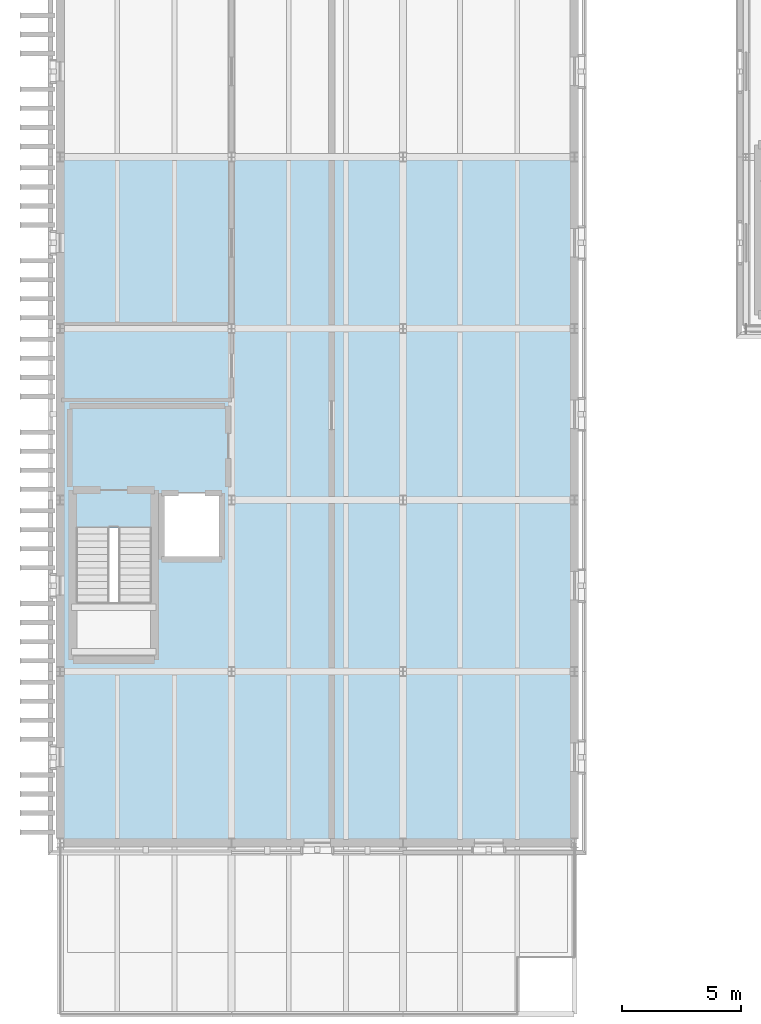
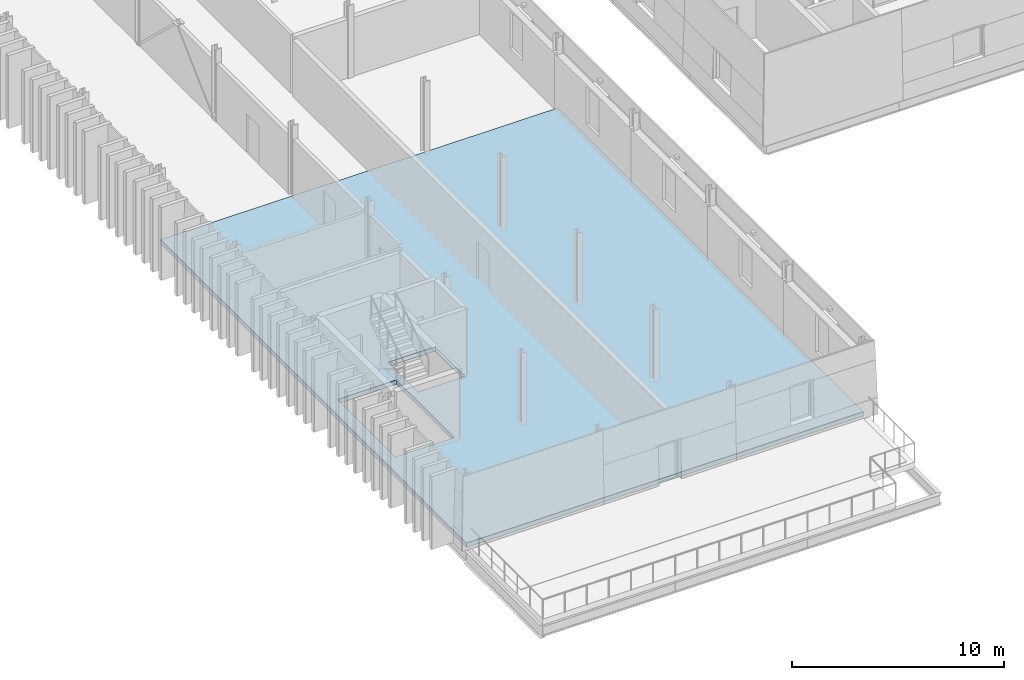
# One storey, part 23 of 66: 1 slab.
"""IFC4 building model written with IfcOpenShell, lengths in metres."""

from ifc_helpers import new_model, si_unit, direction, frame, origin, place, context, subcontext, project, spatial, polyline, outline, extrude, material, layer, layer_set, type_object, element, save


model = new_model("IFC4")

# Units and contexts
model_context = context("Model", 3, precision=1e-05, world=origin(), true_north=direction((0.0, 1.0)))
body_context = subcontext(model_context, "Body", "Model", "MODEL_VIEW")
ifc_project = project(units=[si_unit("LENGTHUNIT", "METRE"), si_unit("AREAUNIT", "SQUARE_METRE"), si_unit("VOLUMEUNIT", "CUBIC_METRE"), si_unit("PLANEANGLEUNIT", "RADIAN"), si_unit("MASSUNIT", "GRAM", prefix="KILO")], contexts=[model_context])

# Site, building, storey
site_placement = place(None, origin())
site = spatial("IfcSite", under=ifc_project, at=site_placement, CompositionType="ELEMENT")
building_placement = place(site_placement, origin())
building = spatial("IfcBuilding", under=site, at=building_placement, Name="Narikvali Park Central Library", CompositionType="ELEMENT")
storey_placement = place(building_placement, frame((0.0, 0.0, 18.60009765625)))
storey = spatial("IfcBuildingStorey", under=building, at=storey_placement, Name="L04", CompositionType="ELEMENT", Elevation=18.60009765625)

# Slab
ifc_material = material(Name="Concrete C35/45", Category="concrete")
ifc_layer = layer(ifc_material, 0.260009765625, Name="Concrete C35/45")
ifc_layer_set = layer_set([ifc_layer], Name="Concrete C35/45")
slab_type = type_object("IfcSlabType", Name="Upper Composite Floor Slab 260", PredefinedType="FLOOR", material=ifc_layer_set)
slab_placement = place(storey_placement, frame((0.0, 0.0, -0.260009765625)))
element("IfcSlab", 1, at=slab_placement, inside=storey, type_object=slab_type, Name="V5 L04 Structural Slab Panel 1", PredefinedType="FLOOR", context=body_context, shape_type="SweptSolid", body=[
    extrude(outline(polyline([(0.0, 36.0), (21.60009765625, 36.0), (21.60009765625, 64.800048828125), (0.0, 64.800048828125), (0.0, 36.0)]), holes=[polyline([(0.64990234375, 43.800048828125), (3.85009765625, 43.800048828125), (3.85009765625, 49.25), (0.64990234375, 49.25), (0.64990234375, 43.800048828125)]), polyline([(4.25, 47.89990234375), (6.800048828125, 47.89990234375), (6.800048828125, 50.699951171875), (4.25, 50.699951171875), (4.25, 47.89990234375)])]), origin(), (0.0, 0.0, 1.0), 0.260009765625),
])

save(model, "model.ifc")
